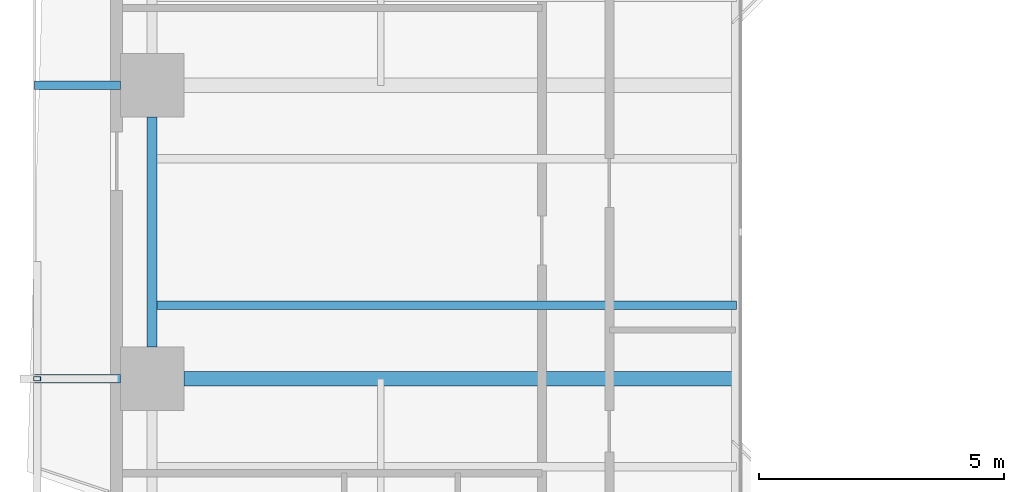
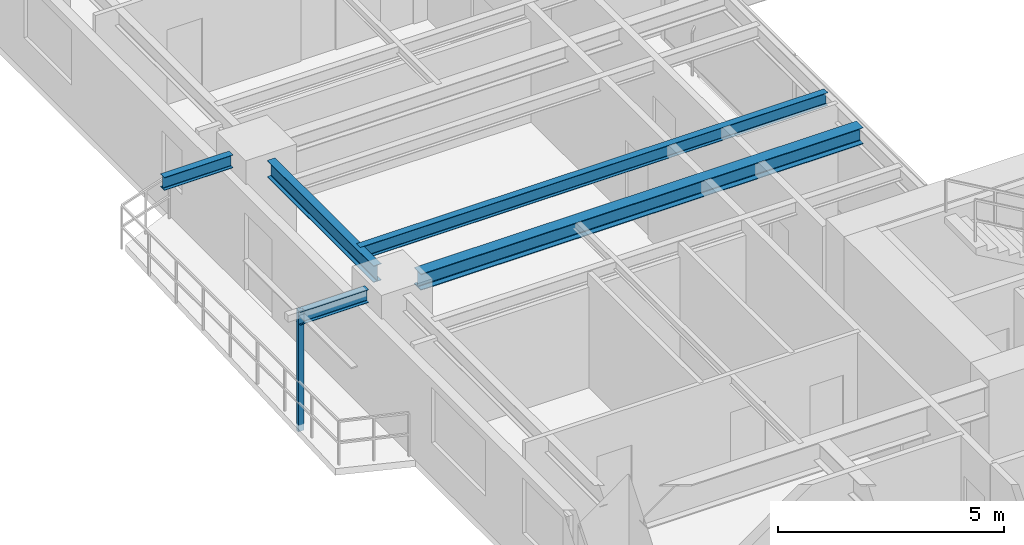
# One storey, part 3 of 24: 5 beams, 1 member.
"""IFC4 building model written with IfcOpenShell, lengths in metres."""

from ifc_helpers import new_model, si_unit, direction, frame, origin, origin_2d, place, context, subcontext, project, spatial, hollow_rectangle, i_section, extrude, source, transform, mapped, material, material_profile, profile_set, type_object, element, save


model = new_model("IFC4")

# Units and contexts
model_context = context("Model", 3, precision=1e-05, world=origin(), true_north=direction((0.0, 1.0)))
body_context = subcontext(model_context, "Body", "Model", "MODEL_VIEW")
ifc_project = project(units=[si_unit("LENGTHUNIT", "METRE"), si_unit("AREAUNIT", "SQUARE_METRE"), si_unit("VOLUMEUNIT", "CUBIC_METRE"), si_unit("PLANEANGLEUNIT", "RADIAN"), si_unit("MASSUNIT", "GRAM", prefix="KILO"), si_unit("THERMODYNAMICTEMPERATUREUNIT", "KELVIN"), si_unit("POWERUNIT", "WATT")], contexts=[model_context])

# Site, building, storey
site_placement = place(None, origin())
site = spatial("IfcSite", under=ifc_project, at=site_placement, CompositionType="ELEMENT")
building_placement = place(site_placement, origin())
building = spatial("IfcBuilding", under=site, at=building_placement, Name="Qiaomeng Ring Towers", CompositionType="ELEMENT")
storey_placement = place(building_placement, frame((0.0, 0.0, 56.75)))
storey = spatial("IfcBuildingStorey", under=building, at=storey_placement, Name="L15", CompositionType="ELEMENT", Elevation=56.75)

# Beams
ifc_material_1 = material(Name="Steel Q355B", Category="steel")
ifc_material_profile_1 = material_profile(ifc_material_1, i_section(OverallWidth=0.199951171875, OverallDepth=0.449951171875, WebThickness=0.009033203125, FlangeThickness=0.013916015625, FilletRadius=0.01806640625, at=origin_2d()), Name="HN 450x200x9x14")
ifc_profile_set_1 = profile_set([ifc_material_profile_1], Name="Steel Q355B")
beam_type_1 = type_object("IfcBeamType", Name="STR-BM-HN450", PredefinedType="SPANDREL", material=ifc_profile_set_1)
shared_shape_1 = source(origin(), body_context, "Body", "SweptSolid", [
    extrude(i_section(OverallWidth=0.199951171875, OverallDepth=0.449951171875, WebThickness=0.009033203125, FlangeThickness=0.013916015625, FilletRadius=0.01806640625, at=origin_2d()), origin(), (0.0, 0.0, 1.0), 4.7021484375),
])
beam_1_placement = place(storey_placement, frame((0.85009765625, 25.35107421875, 2.844970703125), z_axis=(0.0, -1.0, 0.0), x_axis=(1.0, 0.0, 0.0)))
element("IfcBeam", 1, at=beam_1_placement, inside=storey, type_object=beam_type_1, Name="L15 beam STR-SP-L15-T1-W3-W2", PredefinedType="SPANDREL", context=body_context, shape_type="MappedRepresentation", body=[
    mapped(shared_shape_1, transform((0.0, 0.0, 0.0), x_axis=(1.0, 0.0, 0.0), y_axis=(0.0, 1.0, 0.0), z_axis=(0.0, 0.0, 1.0), scale=1.0)),
])
ifc_material_profile_2 = material_profile(ifc_material_1, i_section(OverallWidth=0.300048828125, OverallDepth=0.43994140625, WebThickness=0.010986328125, FlangeThickness=0.01806640625, FilletRadius=0.02392578125, at=origin_2d()), Name="HM 440x300x11x18")
ifc_profile_set_2 = profile_set([ifc_material_profile_2], Name="Steel Q355B")
beam_type_2 = type_object("IfcBeamType", Name="STR-BM-HM440", PredefinedType="BEAM", material=ifc_profile_set_2)
shared_shape_2 = source(origin(), body_context, "Body", "SweptSolid", [
    extrude(i_section(OverallWidth=0.300048828125, OverallDepth=0.43994140625, WebThickness=0.010986328125, FlangeThickness=0.01806640625, FilletRadius=0.02392578125, at=origin_2d()), origin(), (0.0, 0.0, 1.0), 11.301025390625),
])
beam_2_placement = place(storey_placement, frame((1.4990234375, 20.0, 2.85009765625), z_axis=(1.0, 0.0, 0.0), x_axis=(0.0, 1.0, 0.0)))
element("IfcBeam", 2, at=beam_2_placement, inside=storey, type_object=beam_type_2, Name="L15 beam STR-BM-L15-T1-RAD-W2", PredefinedType="BEAM", context=body_context, shape_type="MappedRepresentation", body=[
    mapped(shared_shape_2, transform((0.0, 0.0, 0.0), x_axis=(1.0, 0.0, 0.0), y_axis=(0.0, 1.0, 0.0), z_axis=(0.0, 0.0, 1.0), scale=1.0)),
])
ifc_material_profile_3 = material_profile(ifc_material_1, i_section(OverallWidth=0.175048828125, OverallDepth=0.35009765625, WebThickness=0.007080078125, FlangeThickness=0.010986328125, FilletRadius=0.013916015625, at=origin_2d()), Name="HN 350x175x7x11")
ifc_profile_set_3 = profile_set([ifc_material_profile_3], Name="Steel Q355B")
beam_type_3 = type_object("IfcBeamType", Name="STR-BM-HN350", PredefinedType="JOIST", material=ifc_profile_set_3)
shared_shape_3 = source(origin(), body_context, "Body", "SweptSolid", [
    extrude(i_section(OverallWidth=0.175048828125, OverallDepth=0.35009765625, WebThickness=0.007080078125, FlangeThickness=0.010986328125, FilletRadius=0.013916015625, at=origin_2d()), origin(), (0.0, 0.0, 1.0), 1.7509765625),
])
for number, where, z_axis, x_axis, name in (
    (3, (-1.550048828125, 20.0, 2.89501953125), (1.0, 0.0, 0.0), (0.0, 1.0, 0.0), "L15 beam STR-BALBM-L15-W2"),
    (4, (-1.550048828125, 26.0, 2.89501953125), (1.0, 0.0, 0.0), (0.0, 1.0, 0.0), "L15 beam STR-BALBM-L15-W3"),
):
    element("IfcBeam", number, at=place(storey_placement, frame(where, z_axis=z_axis, x_axis=x_axis)), inside=storey, type_object=beam_type_3, Name=name, PredefinedType="JOIST", context=body_context, shape_type="MappedRepresentation", body=[
        mapped(shared_shape_3, transform((0.0, 0.0, 0.0), x_axis=(1.0, 0.0, 0.0), y_axis=(0.0, 1.0, 0.0), z_axis=(0.0, 0.0, 1.0), scale=1.0)),
    ])
shared_shape_4 = source(origin(), body_context, "Body", "SweptSolid", [
    extrude(i_section(OverallWidth=0.175048828125, OverallDepth=0.35009765625, WebThickness=0.007080078125, FlangeThickness=0.010986328125, FilletRadius=0.013916015625, at=origin_2d()), origin(), (0.0, 0.0, 1.0), 11.949951171875),
])
beam_3_placement = place(storey_placement, frame((0.85009765625, 21.5, 2.89501953125), z_axis=(1.0, 0.0, 0.0), x_axis=(0.0, 1.0, 0.0)))
element("IfcBeam", 5, at=beam_3_placement, inside=storey, type_object=beam_type_3, Name="L15 beam STR-JST-L15-T1W-2", PredefinedType="JOIST", context=body_context, shape_type="MappedRepresentation", body=[
    mapped(shared_shape_4, transform((0.0, 0.0, 0.0), x_axis=(1.0, 0.0, 0.0), y_axis=(0.0, 1.0, 0.0), z_axis=(0.0, 0.0, 1.0), scale=1.0)),
])

# Member
ifc_material_2 = material(Name="Stainless steel 316", Category="steel")
ifc_material_profile_4 = material_profile(ifc_material_2, hollow_rectangle(XDim=0.090087890625, YDim=0.139892578125, WallThickness=0.0048828125, at=origin_2d()), Name="SS TRELLIS 90x140")
ifc_profile_set_4 = profile_set([ifc_material_profile_4], Name="Stainless steel 316")
member_type = type_object("IfcMemberType", Name="ARC-TR-POST1", PredefinedType="STUD", material=ifc_profile_set_4)
shared_shape_5 = source(origin(), body_context, "Body", "SweptSolid", [
    extrude(hollow_rectangle(XDim=0.090087890625, YDim=0.139892578125, WallThickness=0.0048828125, at=origin_2d()), origin(), (0.0, 0.0, 1.0), 3.25),
])
member_placement = place(storey_placement, frame((-1.5, 20.0, -0.179931640625), z_axis=(0.0, 0.0, 1.0), x_axis=(0.0, 1.0, 0.0)))
element("IfcMember", 6, at=member_placement, inside=storey, type_object=member_type, Name="L15 Outer Ventilated Trellis Post W", PredefinedType="STUD", context=body_context, shape_type="MappedRepresentation", body=[
    mapped(shared_shape_5, transform((0.0, 0.0, 0.0), x_axis=(1.0, 0.0, 0.0), y_axis=(0.0, 1.0, 0.0), z_axis=(0.0, 0.0, 1.0), scale=1.0)),
])

save(model, "model.ifc")
